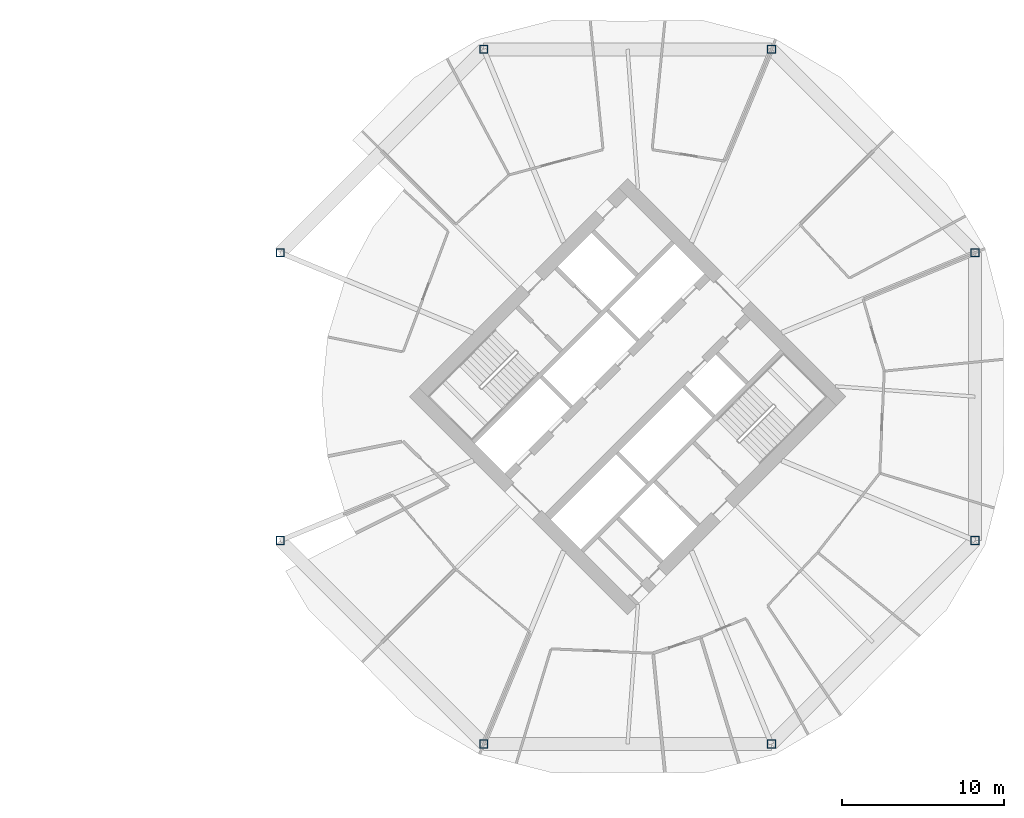
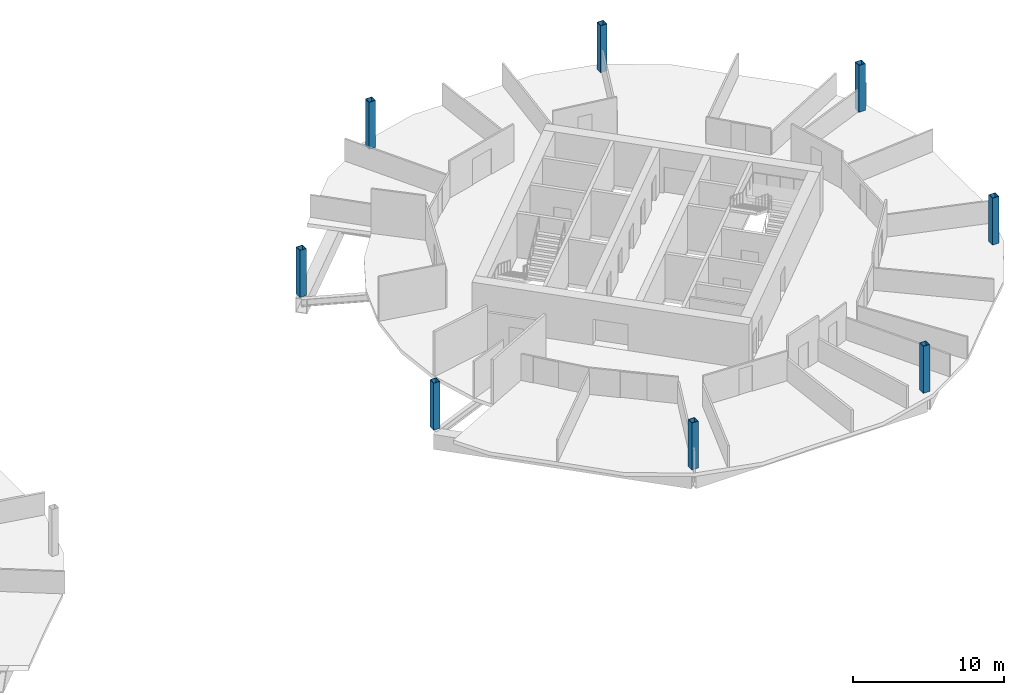
# One storey, part 2 of 9: 8 columns.
"""IFC4 building model written with IfcOpenShell, lengths in metres."""

from ifc_helpers import new_model, si_unit, direction, frame, origin, origin_2d, place, context, subcontext, project, spatial, hollow_rectangle, extrude, material, material_profile, profile_set, type_object, element, save


model = new_model("IFC4")

# Units and contexts
model_context = context("Model", 3, precision=1e-05, world=origin(), true_north=direction((0.0, 1.0)))
body_context = subcontext(model_context, "Body", "Model", "MODEL_VIEW")
ifc_project = project(units=[si_unit("LENGTHUNIT", "METRE"), si_unit("AREAUNIT", "SQUARE_METRE"), si_unit("VOLUMEUNIT", "CUBIC_METRE"), si_unit("PLANEANGLEUNIT", "RADIAN"), si_unit("MASSUNIT", "GRAM", prefix="KILO")], contexts=[model_context])

# Site, building, storey
site_placement = place(None, origin())
site = spatial("IfcSite", under=ifc_project, at=site_placement, CompositionType="ELEMENT")
building_placement = place(site_placement, origin())
building = spatial("IfcBuilding", under=site, at=building_placement, Name="Ogive Gate Towers", CompositionType="ELEMENT")
storey_placement = place(building_placement, frame((0.0, 0.0, 111.300048828125)))
storey = spatial("IfcBuildingStorey", under=building, at=storey_placement, Name="L26", CompositionType="ELEMENT", Elevation=111.300048828125)

# Columns
ifc_material = material(Name="Steel SM460", Category="steel")
ifc_material_profile = material_profile(ifc_material, hollow_rectangle(XDim=0.5, YDim=0.5, WallThickness=0.030029296875, at=origin_2d()), Name="BX 500x500x30")
ifc_profile_set = profile_set([ifc_material_profile], Name="Steel SM460")
column_type = type_object("IfcColumnType", Name="Perimeter post BX 500x500x30", PredefinedType="COLUMN", material=ifc_profile_set)
for number, where, z_axis, x_axis, name in (
    (1, (57.39697265625, 8.863037109375, 0.0), (0.0, 0.0, 1.0), (1.0, 0.0, 0.0), "T2/L26/SCL001"),
    (2, (44.863037109375, 21.39697265625, 0.0), (0.0, 0.0, 1.0), (1.0, 0.0, 0.0), "T2/L26/SCL002"),
    (3, (27.136962890625, 21.39697265625, 0.0), (0.0, 0.0, 1.0), (1.0, 0.0, 0.0), "T2/L26/SCL003"),
    (4, (14.60302734375, 8.863037109375, 0.0), (0.0, 0.0, 1.0), (1.0, 0.0, 0.0), "T2/L26/SCL004"),
    (5, (14.60302734375, -8.863037109375, 0.0), (0.0, 0.0, 1.0), (1.0, 0.0, 0.0), "T2/L26/SCL005"),
    (6, (27.136962890625, -21.39697265625, 0.0), (0.0, 0.0, 1.0), (1.0, 0.0, 0.0), "T2/L26/SCL006"),
    (7, (44.863037109375, -21.39697265625, 0.0), (0.0, 0.0, 1.0), (1.0, 0.0, 0.0), "T2/L26/SCL007"),
    (8, (57.39697265625, -8.863037109375, 0.0), (0.0, 0.0, 1.0), (1.0, 0.0, 0.0), "T2/L26/SCL008"),
):
    element("IfcColumn", number, at=place(storey_placement, frame(where, z_axis=z_axis, x_axis=x_axis)), inside=storey, type_object=column_type, Name=name, PredefinedType="COLUMN", context=body_context, shape_type="SweptSolid", body=[
        extrude(hollow_rectangle(XDim=0.5, YDim=0.5, WallThickness=0.030029296875, at=origin_2d()), origin(), (0.0, 0.0, 1.0), 3.800048828125),
    ])

save(model, "model.ifc")
